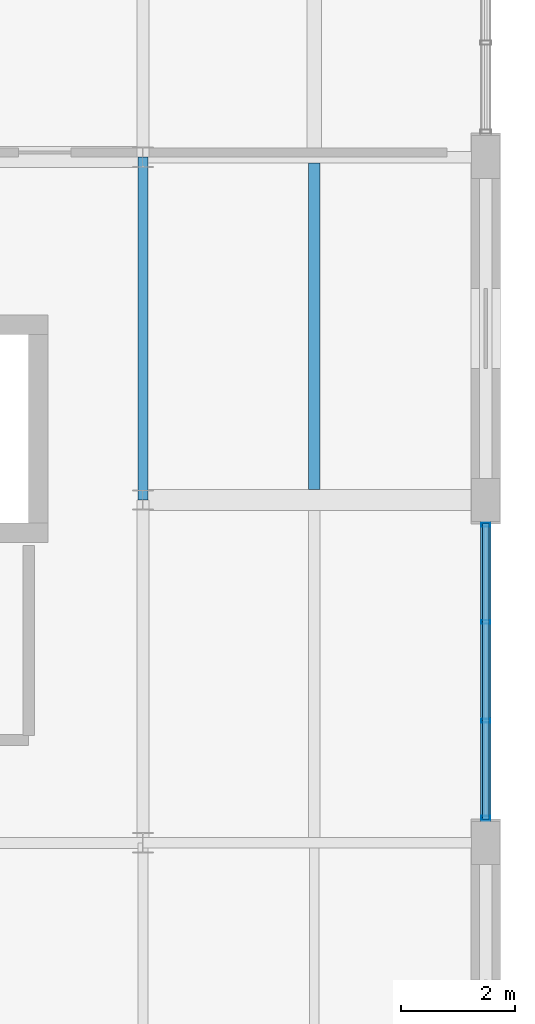
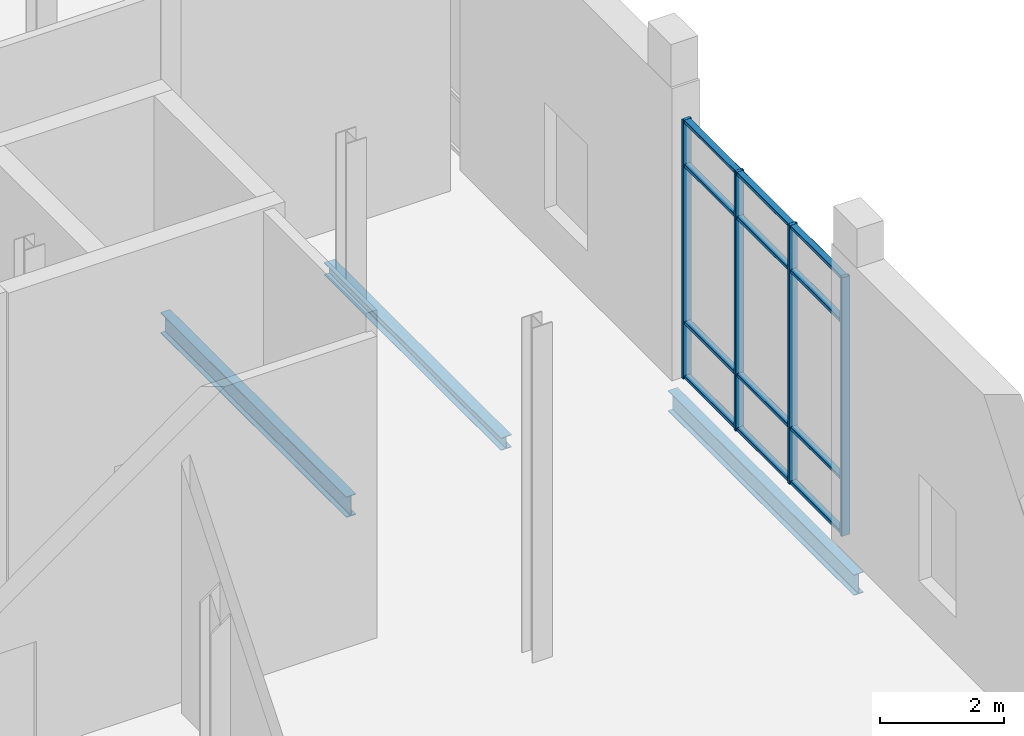
# One storey, part 91 of 140: 8 members, 3 beams, 1 element without a shape of its own.
"""IFC4 building model written with IfcOpenShell, lengths in metres."""

from ifc_helpers import new_model, si_unit, direction, frame, origin, origin_2d, place, context, subcontext, project, spatial, hollow_rectangle, i_section, extrude, material, material_profile, profile_set, type_object, element, aggregate, save


model = new_model("IFC4")

# Units and contexts
model_context = context("Model", 3, precision=1e-05, world=origin(), true_north=direction((0.0, 1.0)))
body_context = subcontext(model_context, "Body", "Model", "MODEL_VIEW")
ifc_project = project(units=[si_unit("LENGTHUNIT", "METRE"), si_unit("AREAUNIT", "SQUARE_METRE"), si_unit("VOLUMEUNIT", "CUBIC_METRE"), si_unit("PLANEANGLEUNIT", "RADIAN"), si_unit("MASSUNIT", "GRAM", prefix="KILO")], contexts=[model_context])

# Site, building, storey
site_placement = place(None, origin())
site = spatial("IfcSite", under=ifc_project, at=site_placement, CompositionType="ELEMENT")
building_placement = place(site_placement, origin())
building = spatial("IfcBuilding", under=site, at=building_placement, Name="Verrall Gate Interchange", CompositionType="ELEMENT")
storey_placement = place(building_placement, origin())
storey = spatial("IfcBuildingStorey", under=building, at=storey_placement, Name="L01", CompositionType="ELEMENT", Elevation=0.0)

# Beams
ifc_material_1 = material(Name="Structural Steel CSA G40.21 350W", Category="steel")
ifc_material_profile_1 = material_profile(ifc_material_1, i_section(OverallWidth=0.178955078125, OverallDepth=0.409912109375, WebThickness=0.0087890625, FlangeThickness=0.014404296875, FilletRadius=0.011962890625, at=origin_2d()), Name="W410x67")
ifc_profile_set_1 = profile_set([ifc_material_profile_1], Name="Structural Steel CSA G40.21 350W")
beam_type_1 = type_object("IfcBeamType", Name="B-12 Structural Beam W410x67", PredefinedType="BEAM", material=ifc_profile_set_1)
for number, where, z_axis, x_axis, name in (
    (1, (162.0, 34.0, -0.705078125), (0.0, 1.0, 0.0), (-1.0, 0.0, 0.0), "L01 Girder BM-L01-1239 (B-12)"),
    (2, (168.0, 28.0, -0.705078125), (0.0, 1.0, 0.0), (-1.0, 0.0, 0.0), "L01 Girder BM-L01-1246 (B-12)"),
):
    element("IfcBeam", number, at=place(storey_placement, frame(where, z_axis=z_axis, x_axis=x_axis)), inside=storey, type_object=beam_type_1, Name=name, PredefinedType="BEAM", context=body_context, shape_type="SweptSolid", body=[
        extrude(i_section(OverallWidth=0.178955078125, OverallDepth=0.409912109375, WebThickness=0.0087890625, FlangeThickness=0.014404296875, FilletRadius=0.011962890625, at=origin_2d()), origin(), (0.0, 0.0, 1.0), 6.0),
    ])

# Curtain wall, members
ifc_material_2 = material(Name="Thermally Broken Anodized Aluminium Curtain Wall Framing", Category="aluminium")
curtain_wall_type = type_object("IfcCurtainWallType", Name="CW-11 Unitized Curtain Wall 5186x5100", PredefinedType="NOTDEFINED", material=ifc_material_2)
curtain_wall_placement = place(storey_placement, origin())
curtain_wall = element("IfcCurtainWall", 3, at=curtain_wall_placement, inside=storey, type_object=curtain_wall_type, Name="L01 Unitized Curtain Wall CW-L01-042", PredefinedType="NOTDEFINED")
ifc_material_3 = material(Name="Thermally Broken Anodized Aluminium Curtain Wall Framing", Category="aluminium")
ifc_material_profile_2 = material_profile(ifc_material_3, hollow_rectangle(XDim=0.06494140625, YDim=0.159912109375, WallThickness=0.00390625, InnerFilletRadius=0.00390625, OuterFilletRadius=0.008056640625, at=origin_2d()), Name="CWM160x65x4")
ifc_profile_set_2 = profile_set([ifc_material_profile_2], Name="Thermally Broken Anodized Aluminium Curtain Wall Framing")
member_type_1 = type_object("IfcMemberType", Name="CM-01 Curtain Mullion CWM160x65x4", PredefinedType="MULLION", material=ifc_profile_set_2)
member_1_placement = place(storey_placement, frame((168.0, 28.439453125, 0.0), z_axis=(0.0, 0.0, 1.0), x_axis=(0.0, 1.0, 0.0)))
member_1 = element("IfcMember", 4, at=member_1_placement, type_object=member_type_1, Name="CW-L01-042 Mullion 1", PredefinedType="MULLION", context=body_context, shape_type="SweptSolid", body=[
    extrude(hollow_rectangle(XDim=0.06494140625, YDim=0.159912109375, WallThickness=0.00390625, InnerFilletRadius=0.00390625, OuterFilletRadius=0.008056640625, at=origin_2d()), origin(), (0.0, 0.0, 1.0), 5.10009765625),
])
member_2_placement = place(storey_placement, frame((168.0, 30.1357421875, 0.0), z_axis=(0.0, 0.0, 1.0), x_axis=(0.0, 1.0, 0.0)))
member_2 = element("IfcMember", 5, at=member_2_placement, type_object=member_type_1, Name="CW-L01-042 Mullion 2", PredefinedType="MULLION", context=body_context, shape_type="SweptSolid", body=[
    extrude(hollow_rectangle(XDim=0.06494140625, YDim=0.159912109375, WallThickness=0.00390625, InnerFilletRadius=0.00390625, OuterFilletRadius=0.008056640625, at=origin_2d()), origin(), (0.0, 0.0, 1.0), 5.10009765625),
])
member_3_placement = place(storey_placement, frame((168.0, 31.8642578125, 0.0), z_axis=(0.0, 0.0, 1.0), x_axis=(0.0, 1.0, 0.0)))
member_3 = element("IfcMember", 6, at=member_3_placement, type_object=member_type_1, Name="CW-L01-042 Mullion 3", PredefinedType="MULLION", context=body_context, shape_type="SweptSolid", body=[
    extrude(hollow_rectangle(XDim=0.06494140625, YDim=0.159912109375, WallThickness=0.00390625, InnerFilletRadius=0.00390625, OuterFilletRadius=0.008056640625, at=origin_2d()), origin(), (0.0, 0.0, 1.0), 5.10009765625),
])
member_4_placement = place(storey_placement, frame((168.0, 33.560546875, 0.0), z_axis=(0.0, 0.0, 1.0), x_axis=(0.0, 1.0, 0.0)))
member_4 = element("IfcMember", 7, at=member_4_placement, type_object=member_type_1, Name="CW-L01-042 Mullion 4", PredefinedType="MULLION", context=body_context, shape_type="SweptSolid", body=[
    extrude(hollow_rectangle(XDim=0.06494140625, YDim=0.159912109375, WallThickness=0.00390625, InnerFilletRadius=0.00390625, OuterFilletRadius=0.008056640625, at=origin_2d()), origin(), (0.0, 0.0, 1.0), 5.10009765625),
])
ifc_material_4 = material(Name="Thermally Broken Anodized Aluminium Curtain Wall Framing", Category="aluminium")
ifc_material_profile_3 = material_profile(ifc_material_4, hollow_rectangle(XDim=0.1201171875, YDim=0.06494140625, WallThickness=0.00390625, InnerFilletRadius=0.00390625, OuterFilletRadius=0.008056640625, at=origin_2d()), Name="CWT120x65x4")
ifc_profile_set_3 = profile_set([ifc_material_profile_3], Name="Thermally Broken Anodized Aluminium Curtain Wall Framing")
member_type_2 = type_object("IfcMemberType", Name="CT-01 Curtain Transom CWT120x65x4", PredefinedType="USERDEFINED", material=ifc_profile_set_3)
member_5_placement = place(storey_placement, frame((168.0, 28.406982421875, 0.032470703125), z_axis=(0.0, 1.0, 0.0), x_axis=(-1.0, 0.0, 0.0)))
member_5 = element("IfcMember", 8, at=member_5_placement, type_object=member_type_2, Name="CW-L01-042 Transom 1", ObjectType="TRANSOM", PredefinedType="USERDEFINED", context=body_context, shape_type="SweptSolid", body=[
    extrude(hollow_rectangle(XDim=0.1201171875, YDim=0.06494140625, WallThickness=0.00390625, InnerFilletRadius=0.00390625, OuterFilletRadius=0.008056640625, at=origin_2d()), origin(), (0.0, 0.0, 1.0), 5.18603515625),
])
member_6_placement = place(storey_placement, frame((168.0, 28.406982421875, 1.10009765625), z_axis=(0.0, 1.0, 0.0), x_axis=(-1.0, 0.0, 0.0)))
member_6 = element("IfcMember", 9, at=member_6_placement, type_object=member_type_2, Name="CW-L01-042 Transom 2", ObjectType="TRANSOM", PredefinedType="USERDEFINED", context=body_context, shape_type="SweptSolid", body=[
    extrude(hollow_rectangle(XDim=0.1201171875, YDim=0.06494140625, WallThickness=0.00390625, InnerFilletRadius=0.00390625, OuterFilletRadius=0.008056640625, at=origin_2d()), origin(), (0.0, 0.0, 1.0), 5.18603515625),
])
member_7_placement = place(storey_placement, frame((168.0, 28.406982421875, 4.199951171875), z_axis=(0.0, 1.0, 0.0), x_axis=(-1.0, 0.0, 0.0)))
member_7 = element("IfcMember", 10, at=member_7_placement, type_object=member_type_2, Name="CW-L01-042 Transom 3", ObjectType="TRANSOM", PredefinedType="USERDEFINED", context=body_context, shape_type="SweptSolid", body=[
    extrude(hollow_rectangle(XDim=0.1201171875, YDim=0.06494140625, WallThickness=0.00390625, InnerFilletRadius=0.00390625, OuterFilletRadius=0.008056640625, at=origin_2d()), origin(), (0.0, 0.0, 1.0), 5.18603515625),
])
member_8_placement = place(storey_placement, frame((168.0, 28.406982421875, 5.0673828125), z_axis=(0.0, 1.0, 0.0), x_axis=(-1.0, 0.0, 0.0)))
member_8 = element("IfcMember", 11, at=member_8_placement, type_object=member_type_2, Name="CW-L01-042 Transom 4", ObjectType="TRANSOM", PredefinedType="USERDEFINED", context=body_context, shape_type="SweptSolid", body=[
    extrude(hollow_rectangle(XDim=0.1201171875, YDim=0.06494140625, WallThickness=0.00390625, InnerFilletRadius=0.00390625, OuterFilletRadius=0.008056640625, at=origin_2d()), origin(), (0.0, 0.0, 1.0), 5.18603515625),
])
aggregate(curtain_wall, [member_1, member_2, member_3, member_4, member_5, member_6, member_7, member_8])

# Beam
ifc_material_5 = material(Name="Structural Steel CSA G40.21 350W", Category="steel")
ifc_material_profile_4 = material_profile(ifc_material_5, i_section(OverallWidth=0.201904296875, OverallDepth=0.2470703125, WebThickness=0.00732421875, FlangeThickness=0.010986328125, FilletRadius=0.010986328125, at=origin_2d()), Name="W250x49")
ifc_profile_set_4 = profile_set([ifc_material_profile_4], Name="Structural Steel CSA G40.21 350W")
beam_type_2 = type_object("IfcBeamType", Name="J-06 Floor Joist W250x49", PredefinedType="JOIST", material=ifc_profile_set_4)
beam_placement = place(storey_placement, frame((165.0, 34.1845703125, -0.62353515625), z_axis=(0.0, 1.0, 0.0), x_axis=(-1.0, 0.0, 0.0)))
element("IfcBeam", 12, at=beam_placement, inside=storey, type_object=beam_type_2, Name="L01 Secondary Floor Joist JST-L01-1361", PredefinedType="JOIST", context=body_context, shape_type="SweptSolid", body=[
    extrude(i_section(OverallWidth=0.201904296875, OverallDepth=0.2470703125, WebThickness=0.00732421875, FlangeThickness=0.010986328125, FilletRadius=0.010986328125, at=origin_2d()), origin(), (0.0, 0.0, 1.0), 5.712890625),
])

save(model, "model.ifc")
